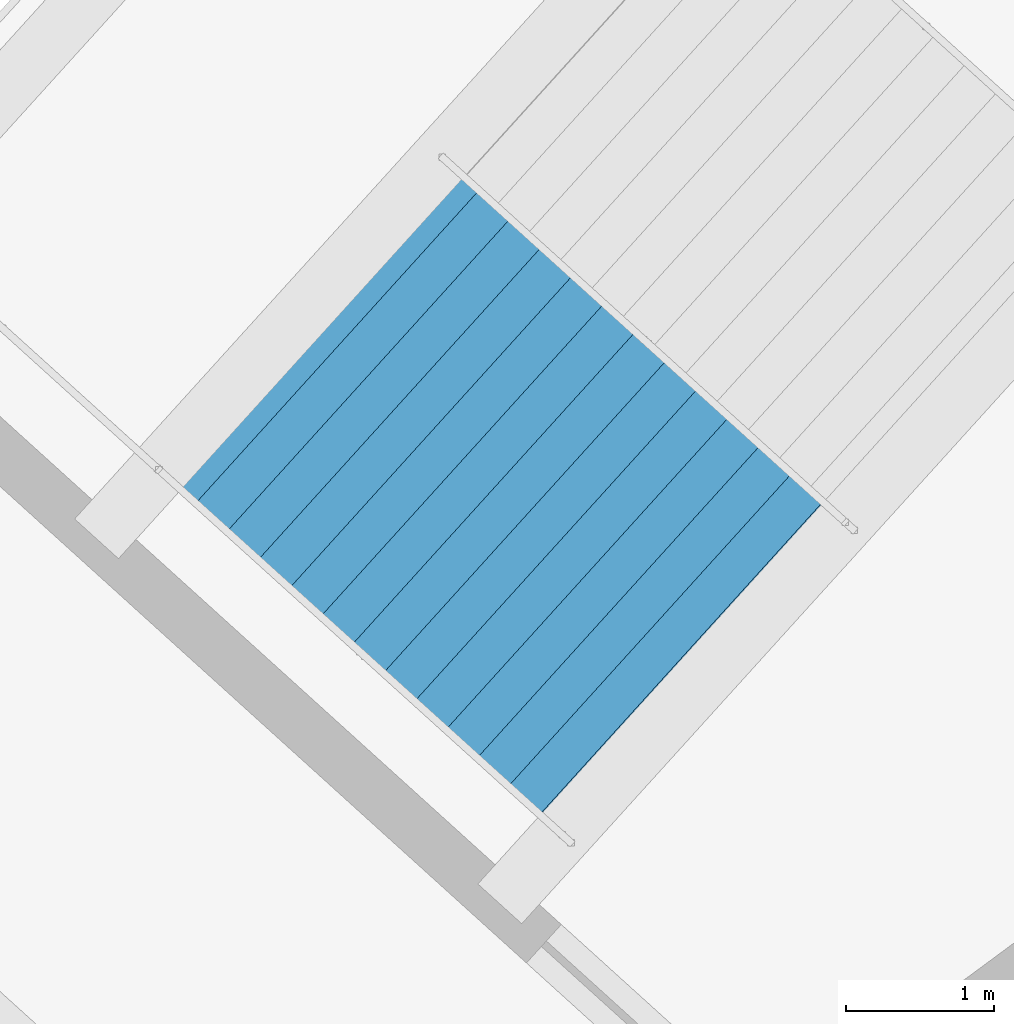
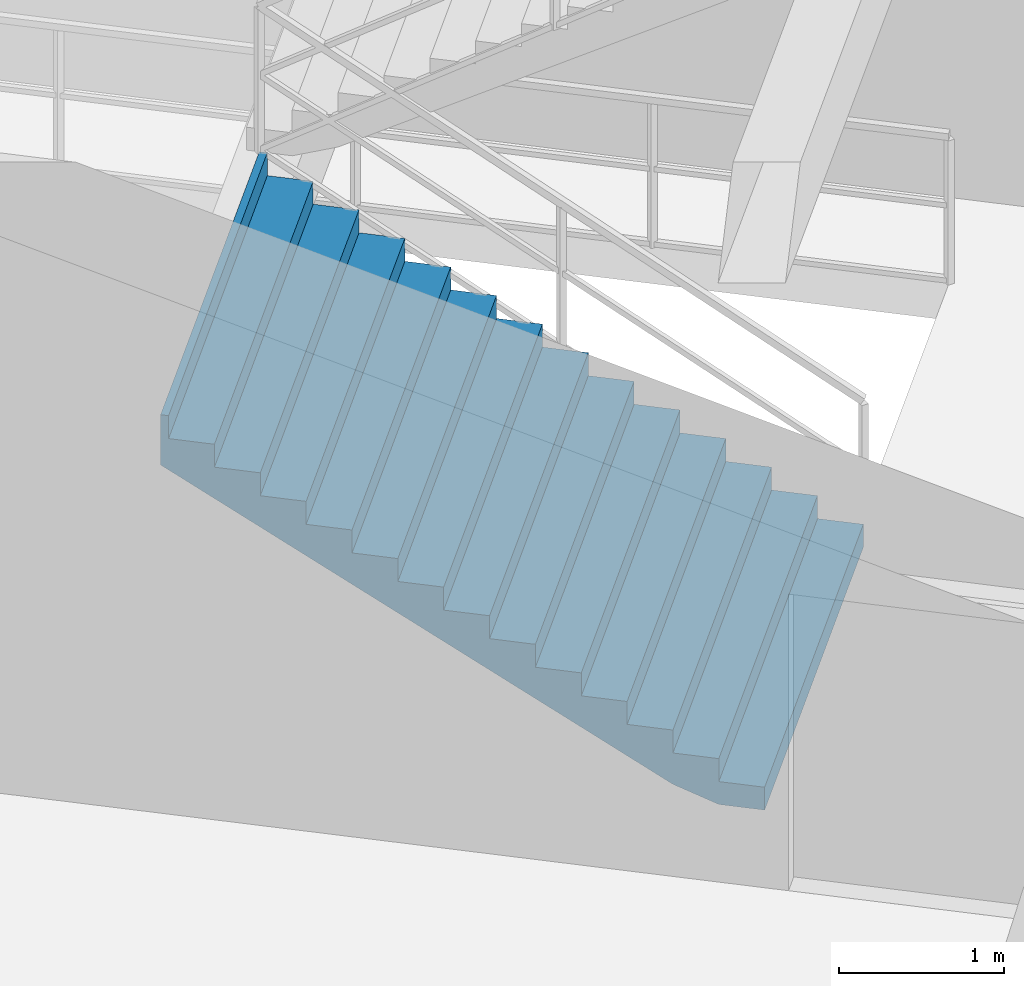
# One storey, part 138 of 156: 1 stair flight, 1 element without a shape of its own.
"""IFC4 building model written with IfcOpenShell, lengths in metres."""

from ifc_helpers import new_model, si_unit, direction, frame, origin, place, context, subcontext, project, spatial, polygons, material, type_object, element, aggregate, save


model = new_model("IFC4")

# Units and contexts
model_context = context("Model", 3, precision=1e-05, world=origin(), true_north=direction((0.0, 1.0)))
body_context = subcontext(model_context, "Body", "Model", "MODEL_VIEW")
ifc_project = project(units=[si_unit("LENGTHUNIT", "METRE"), si_unit("AREAUNIT", "SQUARE_METRE"), si_unit("VOLUMEUNIT", "CUBIC_METRE"), si_unit("PLANEANGLEUNIT", "RADIAN"), si_unit("MASSUNIT", "GRAM", prefix="KILO")], contexts=[model_context])

# Site, building, storey
site_placement = place(None, origin())
site = spatial("IfcSite", under=ifc_project, at=site_placement, CompositionType="ELEMENT")
building_placement = place(site_placement, origin())
building = spatial("IfcBuilding", under=site, at=building_placement, Name="Kazemori Nagisa Stadium", CompositionType="ELEMENT")
storey_placement = place(building_placement, frame((0.0, 0.0, 5.780029296875)))
storey = spatial("IfcBuildingStorey", under=building, at=storey_placement, Name="L01", CompositionType="ELEMENT", Elevation=5.780029296875)

# Stair, stair flight
ifc_material = material(Name="Concrete C36/45 (Fc36)", Category="concrete")
stair_type = type_object("IfcStairType", Name="Stair_CORE_28", PredefinedType="TWO_STRAIGHT_RUN_STAIR", material=ifc_material)
stair_placement = place(storey_placement, origin())
stair = element("IfcStair", 1, at=stair_placement, inside=storey, type_object=stair_type, Name="Exit stair ST01 L01", PredefinedType="TWO_STRAIGHT_RUN_STAIR")
stair_flight_type = type_object("IfcStairFlightType", Name="Flight_CORE_14", PredefinedType="STRAIGHT", material=ifc_material)
stair_flight_placement = place(storey_placement, frame((191.89208984375, 156.3369140625, 0.0), z_axis=(0.0, 0.0, 1.0), x_axis=(-0.741354671431, 0.67111344134, 0.0)))
stair_flight = element("IfcStairFlight", 2, at=stair_flight_placement, type_object=stair_flight_type, Name="Exit stair ST01 L01 flight 1", NumberOfRisers=14, NumberOfTreads=13, PredefinedType="STRAIGHT", RiserHeight=0.17, TreadLength=0.285, context=body_context, shape_type="Tessellation", body=[
    polygons([(0.0, -1.425048828125, 0.0), (0.0, -1.425048828125, 0.169921875), (0.284912109375, -1.425048828125, 0.169921875), (0.284912109375, -1.425048828125, 0.340087890625), (0.570068359375, -1.425048828125, 0.340087890625), (0.570068359375, -1.425048828125, 0.510009765625), (0.85498046875, -1.425048828125, 0.510009765625), (0.85498046875, -1.425048828125, 0.679931640625), (1.139892578125, -1.425048828125, 0.679931640625), (1.139892578125, -1.425048828125, 0.85009765625), (1.425048828125, -1.425048828125, 0.85009765625), (1.425048828125, -1.425048828125, 1.02001953125), (1.7099609375, -1.425048828125, 1.02001953125), (1.7099609375, -1.425048828125, 1.18994140625), (1.9951171875, -1.425048828125, 1.18994140625), (1.9951171875, -1.425048828125, 1.360107421875), (2.280029296875, -1.425048828125, 1.360107421875), (2.280029296875, -1.425048828125, 1.530029296875), (2.56494140625, -1.425048828125, 1.530029296875), (2.56494140625, -1.425048828125, 1.699951171875), (2.85009765625, -1.425048828125, 1.699951171875), (2.85009765625, -1.425048828125, 1.8701171875), (3.135009765625, -1.425048828125, 1.8701171875), (3.135009765625, -1.425048828125, 2.0400390625), (3.419921875, -1.425048828125, 2.0400390625), (3.419921875, -1.425048828125, 2.2099609375), (3.705078125, -1.425048828125, 2.2099609375), (3.705078125, -1.425048828125, 2.3798828125), (3.7548828125, -1.425048828125, 2.3798828125), (3.7548828125, -1.425048828125, 2.007080078125), (3.705078125, -1.425048828125, 1.977294921875), (3.419921875, -1.425048828125, 1.80712890625), (3.135009765625, -1.425048828125, 1.63720703125), (2.85009765625, -1.425048828125, 1.46728515625), (2.56494140625, -1.425048828125, 1.297119140625), (2.280029296875, -1.425048828125, 1.127197265625), (1.9951171875, -1.425048828125, 0.957275390625), (1.7099609375, -1.425048828125, 0.787109375), (1.425048828125, -1.425048828125, 0.6171875), (1.139892578125, -1.425048828125, 0.447265625), (0.85498046875, -1.425048828125, 0.277099609375), (0.570068359375, -1.425048828125, 0.107177734375), (0.284912109375, -1.425048828125, 0.0), (0.0, -0.08544921875, 0.0), (0.0, -0.08544921875, 0.169921875), (0.284912109375, -0.08544921875, 0.169921875), (0.284912109375, -0.08544921875, 0.340087890625), (0.570068359375, -0.08544921875, 0.340087890625), (0.570068359375, -0.08544921875, 0.510009765625), (0.85498046875, -0.08544921875, 0.510009765625), (0.85498046875, -0.08544921875, 0.679931640625), (1.139892578125, -0.08544921875, 0.679931640625), (1.139892578125, -0.08544921875, 0.85009765625), (1.425048828125, -0.08544921875, 0.85009765625), (1.425048828125, -0.08544921875, 1.02001953125), (1.7099609375, -0.08544921875, 1.02001953125), (1.7099609375, -0.08544921875, 1.18994140625), (1.9951171875, -0.08544921875, 1.18994140625), (1.9951171875, -0.08544921875, 1.360107421875), (2.280029296875, -0.08544921875, 1.360107421875), (2.280029296875, -0.08544921875, 1.530029296875), (2.56494140625, -0.08544921875, 1.530029296875), (2.56494140625, -0.08544921875, 1.699951171875), (2.85009765625, -0.08544921875, 1.699951171875), (2.85009765625, -0.08544921875, 1.8701171875), (3.135009765625, -0.08544921875, 1.8701171875), (3.135009765625, -0.08544921875, 2.0400390625), (3.419921875, -0.08544921875, 2.0400390625), (3.419921875, -0.08544921875, 2.2099609375), (3.705078125, -0.08544921875, 2.2099609375), (3.705078125, -0.08544921875, 2.3798828125), (3.7548828125, -0.08544921875, 2.3798828125), (3.7548828125, -0.08544921875, 2.007080078125), (3.705078125, -0.08544921875, 1.977294921875), (3.419921875, -0.08544921875, 1.80712890625), (3.135009765625, -0.08544921875, 1.63720703125), (2.85009765625, -0.08544921875, 1.46728515625), (2.56494140625, -0.08544921875, 1.297119140625), (2.280029296875, -0.08544921875, 1.127197265625), (1.9951171875, -0.08544921875, 0.957275390625), (1.7099609375, -0.08544921875, 0.787109375), (1.425048828125, -0.08544921875, 0.6171875), (1.139892578125, -0.08544921875, 0.447265625), (0.85498046875, -0.08544921875, 0.277099609375), (0.570068359375, -0.08544921875, 0.107177734375), (0.284912109375, -0.08544921875, 0.0), (0.0, 0.0, 0.0), (0.0, 0.0, 0.169921875), (0.284912109375, 0.0, 0.169921875), (0.284912109375, 0.0, 0.340087890625), (0.570068359375, 0.0, 0.340087890625), (0.570068359375, 0.0, 0.510009765625), (0.85498046875, 0.0, 0.510009765625), (0.85498046875, 0.0, 0.679931640625), (1.139892578125, 0.0, 0.679931640625), (1.139892578125, 0.0, 0.85009765625), (1.425048828125, 0.0, 0.85009765625), (1.425048828125, 0.0, 1.02001953125), (1.7099609375, 0.0, 1.02001953125), (1.7099609375, 0.0, 1.18994140625), (1.9951171875, 0.0, 1.18994140625), (1.9951171875, 0.0, 1.360107421875), (2.280029296875, 0.0, 1.360107421875), (2.280029296875, 0.0, 1.530029296875), (2.56494140625, 0.0, 1.530029296875), (2.56494140625, 0.0, 1.699951171875), (2.85009765625, 0.0, 1.699951171875), (2.85009765625, 0.0, 1.8701171875), (3.135009765625, 0.0, 1.8701171875), (3.135009765625, 0.0, 2.0400390625), (3.419921875, 0.0, 2.0400390625), (3.419921875, 0.0, 2.2099609375), (3.705078125, 0.0, 2.2099609375), (3.705078125, 0.0, 2.3798828125), (3.7548828125, 0.0, 2.3798828125), (3.7548828125, 0.0, 2.007080078125), (3.705078125, 0.0, 1.977294921875), (3.419921875, 0.0, 1.80712890625), (3.135009765625, 0.0, 1.63720703125), (2.85009765625, 0.0, 1.46728515625), (2.56494140625, 0.0, 1.297119140625), (2.280029296875, 0.0, 1.127197265625), (1.9951171875, 0.0, 0.957275390625), (1.7099609375, 0.0, 0.787109375), (1.425048828125, 0.0, 0.6171875), (1.139892578125, 0.0, 0.447265625), (0.85498046875, 0.0, 0.277099609375), (0.570068359375, 0.0, 0.107177734375), (0.284912109375, 0.0, 0.0), (0.0, 0.08544921875, 0.0), (0.0, 0.08544921875, 0.169921875), (0.284912109375, 0.08544921875, 0.169921875), (0.284912109375, 0.08544921875, 0.340087890625), (0.570068359375, 0.08544921875, 0.340087890625), (0.570068359375, 0.08544921875, 0.510009765625), (0.85498046875, 0.08544921875, 0.510009765625), (0.85498046875, 0.08544921875, 0.679931640625), (1.139892578125, 0.08544921875, 0.679931640625), (1.139892578125, 0.08544921875, 0.85009765625), (1.425048828125, 0.08544921875, 0.85009765625), (1.425048828125, 0.08544921875, 1.02001953125), (1.7099609375, 0.08544921875, 1.02001953125), (1.7099609375, 0.08544921875, 1.18994140625), (1.9951171875, 0.08544921875, 1.18994140625), (1.9951171875, 0.08544921875, 1.360107421875), (2.280029296875, 0.08544921875, 1.360107421875), (2.280029296875, 0.08544921875, 1.530029296875), (2.56494140625, 0.08544921875, 1.530029296875), (2.56494140625, 0.08544921875, 1.699951171875), (2.85009765625, 0.08544921875, 1.699951171875), (2.85009765625, 0.08544921875, 1.8701171875), (3.135009765625, 0.08544921875, 1.8701171875), (3.135009765625, 0.08544921875, 2.0400390625), (3.419921875, 0.08544921875, 2.0400390625), (3.419921875, 0.08544921875, 2.2099609375), (3.705078125, 0.08544921875, 2.2099609375), (3.705078125, 0.08544921875, 2.3798828125), (3.7548828125, 0.08544921875, 2.3798828125), (3.7548828125, 0.08544921875, 2.007080078125), (3.705078125, 0.08544921875, 1.977294921875), (3.419921875, 0.08544921875, 1.80712890625), (3.135009765625, 0.08544921875, 1.63720703125), (2.85009765625, 0.08544921875, 1.46728515625), (2.56494140625, 0.08544921875, 1.297119140625), (2.280029296875, 0.08544921875, 1.127197265625), (1.9951171875, 0.08544921875, 0.957275390625), (1.7099609375, 0.08544921875, 0.787109375), (1.425048828125, 0.08544921875, 0.6171875), (1.139892578125, 0.08544921875, 0.447265625), (0.85498046875, 0.08544921875, 0.277099609375), (0.570068359375, 0.08544921875, 0.107177734375), (0.284912109375, 0.08544921875, 0.0), (0.0, 1.425048828125, 0.0), (0.0, 1.425048828125, 0.169921875), (0.284912109375, 1.425048828125, 0.169921875), (0.284912109375, 1.425048828125, 0.340087890625), (0.570068359375, 1.425048828125, 0.340087890625), (0.570068359375, 1.425048828125, 0.510009765625), (0.85498046875, 1.425048828125, 0.510009765625), (0.85498046875, 1.425048828125, 0.679931640625), (1.139892578125, 1.425048828125, 0.679931640625), (1.139892578125, 1.425048828125, 0.85009765625), (1.425048828125, 1.425048828125, 0.85009765625), (1.425048828125, 1.425048828125, 1.02001953125), (1.7099609375, 1.425048828125, 1.02001953125), (1.7099609375, 1.425048828125, 1.18994140625), (1.9951171875, 1.425048828125, 1.18994140625), (1.9951171875, 1.425048828125, 1.360107421875), (2.280029296875, 1.425048828125, 1.360107421875), (2.280029296875, 1.425048828125, 1.530029296875), (2.56494140625, 1.425048828125, 1.530029296875), (2.56494140625, 1.425048828125, 1.699951171875), (2.85009765625, 1.425048828125, 1.699951171875), (2.85009765625, 1.425048828125, 1.8701171875), (3.135009765625, 1.425048828125, 1.8701171875), (3.135009765625, 1.425048828125, 2.0400390625), (3.419921875, 1.425048828125, 2.0400390625), (3.419921875, 1.425048828125, 2.2099609375), (3.705078125, 1.425048828125, 2.2099609375), (3.705078125, 1.425048828125, 2.3798828125), (3.7548828125, 1.425048828125, 2.3798828125), (3.7548828125, 1.425048828125, 2.007080078125), (3.705078125, 1.425048828125, 1.977294921875), (3.419921875, 1.425048828125, 1.80712890625), (3.135009765625, 1.425048828125, 1.63720703125), (2.85009765625, 1.425048828125, 1.46728515625), (2.56494140625, 1.425048828125, 1.297119140625), (2.280029296875, 1.425048828125, 1.127197265625), (1.9951171875, 1.425048828125, 0.957275390625), (1.7099609375, 1.425048828125, 0.787109375), (1.425048828125, 1.425048828125, 0.6171875), (1.139892578125, 1.425048828125, 0.447265625), (0.85498046875, 1.425048828125, 0.277099609375), (0.570068359375, 1.425048828125, 0.107177734375), (0.284912109375, 1.425048828125, 0.0)], [[[1, 2, 45]], [[1, 45, 44]], [[2, 3, 46]], [[2, 46, 45]], [[3, 4, 47]], [[3, 47, 46]], [[4, 5, 48]], [[4, 48, 47]], [[5, 6, 49]], [[5, 49, 48]], [[6, 7, 50]], [[6, 50, 49]], [[7, 8, 51]], [[7, 51, 50]], [[8, 9, 52]], [[8, 52, 51]], [[9, 10, 53]], [[9, 53, 52]], [[10, 11, 54]], [[10, 54, 53]], [[11, 12, 55]], [[11, 55, 54]], [[12, 13, 56]], [[12, 56, 55]], [[13, 14, 57]], [[13, 57, 56]], [[14, 15, 58]], [[14, 58, 57]], [[15, 16, 59]], [[15, 59, 58]], [[16, 17, 60]], [[16, 60, 59]], [[17, 18, 61]], [[17, 61, 60]], [[18, 19, 62]], [[18, 62, 61]], [[19, 20, 63]], [[19, 63, 62]], [[20, 21, 64]], [[20, 64, 63]], [[21, 22, 65]], [[21, 65, 64]], [[22, 23, 66]], [[22, 66, 65]], [[23, 24, 67]], [[23, 67, 66]], [[24, 25, 68]], [[24, 68, 67]], [[25, 26, 69]], [[25, 69, 68]], [[26, 27, 70]], [[26, 70, 69]], [[27, 28, 71]], [[27, 71, 70]], [[28, 29, 72]], [[28, 72, 71]], [[29, 30, 73]], [[29, 73, 72]], [[30, 31, 74]], [[30, 74, 73]], [[31, 32, 75]], [[31, 75, 74]], [[32, 33, 76]], [[32, 76, 75]], [[33, 34, 77]], [[33, 77, 76]], [[34, 35, 78]], [[34, 78, 77]], [[35, 36, 79]], [[35, 79, 78]], [[36, 37, 80]], [[36, 80, 79]], [[37, 38, 81]], [[37, 81, 80]], [[38, 39, 82]], [[38, 82, 81]], [[39, 40, 83]], [[39, 83, 82]], [[40, 41, 84]], [[40, 84, 83]], [[41, 42, 85]], [[41, 85, 84]], [[42, 43, 86]], [[42, 86, 85]], [[43, 1, 44]], [[43, 44, 86]], [[44, 45, 88]], [[44, 88, 87]], [[45, 46, 89]], [[45, 89, 88]], [[46, 47, 90]], [[46, 90, 89]], [[47, 48, 91]], [[47, 91, 90]], [[48, 49, 92]], [[48, 92, 91]], [[49, 50, 93]], [[49, 93, 92]], [[50, 51, 94]], [[50, 94, 93]], [[51, 52, 95]], [[51, 95, 94]], [[52, 53, 96]], [[52, 96, 95]], [[53, 54, 97]], [[53, 97, 96]], [[54, 55, 98]], [[54, 98, 97]], [[55, 56, 99]], [[55, 99, 98]], [[56, 57, 100]], [[56, 100, 99]], [[57, 58, 101]], [[57, 101, 100]], [[58, 59, 102]], [[58, 102, 101]], [[59, 60, 103]], [[59, 103, 102]], [[60, 61, 104]], [[60, 104, 103]], [[61, 62, 105]], [[61, 105, 104]], [[62, 63, 106]], [[62, 106, 105]], [[63, 64, 107]], [[63, 107, 106]], [[64, 65, 108]], [[64, 108, 107]], [[65, 66, 109]], [[65, 109, 108]], [[66, 67, 110]], [[66, 110, 109]], [[67, 68, 111]], [[67, 111, 110]], [[68, 69, 112]], [[68, 112, 111]], [[69, 70, 113]], [[69, 113, 112]], [[70, 71, 114]], [[70, 114, 113]], [[71, 72, 115]], [[71, 115, 114]], [[72, 73, 116]], [[72, 116, 115]], [[73, 74, 117]], [[73, 117, 116]], [[74, 75, 118]], [[74, 118, 117]], [[75, 76, 119]], [[75, 119, 118]], [[76, 77, 120]], [[76, 120, 119]], [[77, 78, 121]], [[77, 121, 120]], [[78, 79, 122]], [[78, 122, 121]], [[79, 80, 123]], [[79, 123, 122]], [[80, 81, 124]], [[80, 124, 123]], [[81, 82, 125]], [[81, 125, 124]], [[82, 83, 126]], [[82, 126, 125]], [[83, 84, 127]], [[83, 127, 126]], [[84, 85, 128]], [[84, 128, 127]], [[85, 86, 129]], [[85, 129, 128]], [[86, 44, 87]], [[86, 87, 129]], [[87, 88, 131]], [[87, 131, 130]], [[88, 89, 132]], [[88, 132, 131]], [[89, 90, 133]], [[89, 133, 132]], [[90, 91, 134]], [[90, 134, 133]], [[91, 92, 135]], [[91, 135, 134]], [[92, 93, 136]], [[92, 136, 135]], [[93, 94, 137]], [[93, 137, 136]], [[94, 95, 138]], [[94, 138, 137]], [[95, 96, 139]], [[95, 139, 138]], [[96, 97, 140]], [[96, 140, 139]], [[97, 98, 141]], [[97, 141, 140]], [[98, 99, 142]], [[98, 142, 141]], [[99, 100, 143]], [[99, 143, 142]], [[100, 101, 144]], [[100, 144, 143]], [[101, 102, 145]], [[101, 145, 144]], [[102, 103, 146]], [[102, 146, 145]], [[103, 104, 147]], [[103, 147, 146]], [[104, 105, 148]], [[104, 148, 147]], [[105, 106, 149]], [[105, 149, 148]], [[106, 107, 150]], [[106, 150, 149]], [[107, 108, 151]], [[107, 151, 150]], [[108, 109, 152]], [[108, 152, 151]], [[109, 110, 153]], [[109, 153, 152]], [[110, 111, 154]], [[110, 154, 153]], [[111, 112, 155]], [[111, 155, 154]], [[112, 113, 156]], [[112, 156, 155]], [[113, 114, 157]], [[113, 157, 156]], [[114, 115, 158]], [[114, 158, 157]], [[115, 116, 159]], [[115, 159, 158]], [[116, 117, 160]], [[116, 160, 159]], [[117, 118, 161]], [[117, 161, 160]], [[118, 119, 162]], [[118, 162, 161]], [[119, 120, 163]], [[119, 163, 162]], [[120, 121, 164]], [[120, 164, 163]], [[121, 122, 165]], [[121, 165, 164]], [[122, 123, 166]], [[122, 166, 165]], [[123, 124, 167]], [[123, 167, 166]], [[124, 125, 168]], [[124, 168, 167]], [[125, 126, 169]], [[125, 169, 168]], [[126, 127, 170]], [[126, 170, 169]], [[127, 128, 171]], [[127, 171, 170]], [[128, 129, 172]], [[128, 172, 171]], [[129, 87, 130]], [[129, 130, 172]], [[130, 131, 174]], [[130, 174, 173]], [[131, 132, 175]], [[131, 175, 174]], [[132, 133, 176]], [[132, 176, 175]], [[133, 134, 177]], [[133, 177, 176]], [[134, 135, 178]], [[134, 178, 177]], [[135, 136, 179]], [[135, 179, 178]], [[136, 137, 180]], [[136, 180, 179]], [[137, 138, 181]], [[137, 181, 180]], [[138, 139, 182]], [[138, 182, 181]], [[139, 140, 183]], [[139, 183, 182]], [[140, 141, 184]], [[140, 184, 183]], [[141, 142, 185]], [[141, 185, 184]], [[142, 143, 186]], [[142, 186, 185]], [[143, 144, 187]], [[143, 187, 186]], [[144, 145, 188]], [[144, 188, 187]], [[145, 146, 189]], [[145, 189, 188]], [[146, 147, 190]], [[146, 190, 189]], [[147, 148, 191]], [[147, 191, 190]], [[148, 149, 192]], [[148, 192, 191]], [[149, 150, 193]], [[149, 193, 192]], [[150, 151, 194]], [[150, 194, 193]], [[151, 152, 195]], [[151, 195, 194]], [[152, 153, 196]], [[152, 196, 195]], [[153, 154, 197]], [[153, 197, 196]], [[154, 155, 198]], [[154, 198, 197]], [[155, 156, 199]], [[155, 199, 198]], [[156, 157, 200]], [[156, 200, 199]], [[157, 158, 201]], [[157, 201, 200]], [[158, 159, 202]], [[158, 202, 201]], [[159, 160, 203]], [[159, 203, 202]], [[160, 161, 204]], [[160, 204, 203]], [[161, 162, 205]], [[161, 205, 204]], [[162, 163, 206]], [[162, 206, 205]], [[163, 164, 207]], [[163, 207, 206]], [[164, 165, 208]], [[164, 208, 207]], [[165, 166, 209]], [[165, 209, 208]], [[166, 167, 210]], [[166, 210, 209]], [[167, 168, 211]], [[167, 211, 210]], [[168, 169, 212]], [[168, 212, 211]], [[169, 170, 213]], [[169, 213, 212]], [[170, 171, 214]], [[170, 214, 213]], [[171, 172, 215]], [[171, 215, 214]], [[172, 130, 173]], [[172, 173, 215]], [[3, 2, 1]], [[173, 174, 175]], [[43, 3, 1]], [[173, 175, 215]], [[42, 3, 43]], [[215, 175, 214]], [[5, 3, 42]], [[214, 175, 177]], [[5, 4, 3]], [[175, 176, 177]], [[41, 5, 42]], [[214, 177, 213]], [[7, 5, 41]], [[213, 177, 179]], [[7, 6, 5]], [[177, 178, 179]], [[40, 7, 41]], [[213, 179, 212]], [[9, 7, 40]], [[212, 179, 181]], [[9, 8, 7]], [[179, 180, 181]], [[39, 9, 40]], [[212, 181, 211]], [[11, 9, 39]], [[211, 181, 183]], [[11, 10, 9]], [[181, 182, 183]], [[38, 11, 39]], [[211, 183, 210]], [[13, 11, 38]], [[210, 183, 185]], [[13, 12, 11]], [[183, 184, 185]], [[37, 13, 38]], [[210, 185, 209]], [[15, 13, 37]], [[209, 185, 187]], [[15, 14, 13]], [[185, 186, 187]], [[36, 15, 37]], [[209, 187, 208]], [[17, 15, 36]], [[208, 187, 189]], [[17, 16, 15]], [[187, 188, 189]], [[35, 17, 36]], [[208, 189, 207]], [[19, 17, 35]], [[207, 189, 191]], [[19, 18, 17]], [[189, 190, 191]], [[34, 19, 35]], [[207, 191, 206]], [[21, 19, 34]], [[206, 191, 193]], [[21, 20, 19]], [[191, 192, 193]], [[33, 21, 34]], [[206, 193, 205]], [[23, 21, 33]], [[205, 193, 195]], [[23, 22, 21]], [[193, 194, 195]], [[32, 23, 33]], [[205, 195, 204]], [[25, 23, 32]], [[204, 195, 197]], [[25, 24, 23]], [[195, 196, 197]], [[31, 25, 32]], [[204, 197, 203]], [[27, 25, 31]], [[203, 197, 199]], [[27, 26, 25]], [[197, 198, 199]], [[30, 27, 31]], [[203, 199, 202]], [[29, 27, 30]], [[202, 199, 201]], [[29, 28, 27]], [[199, 200, 201]]], closed=True),
])
aggregate(stair, [stair_flight])

save(model, "model.ifc")
